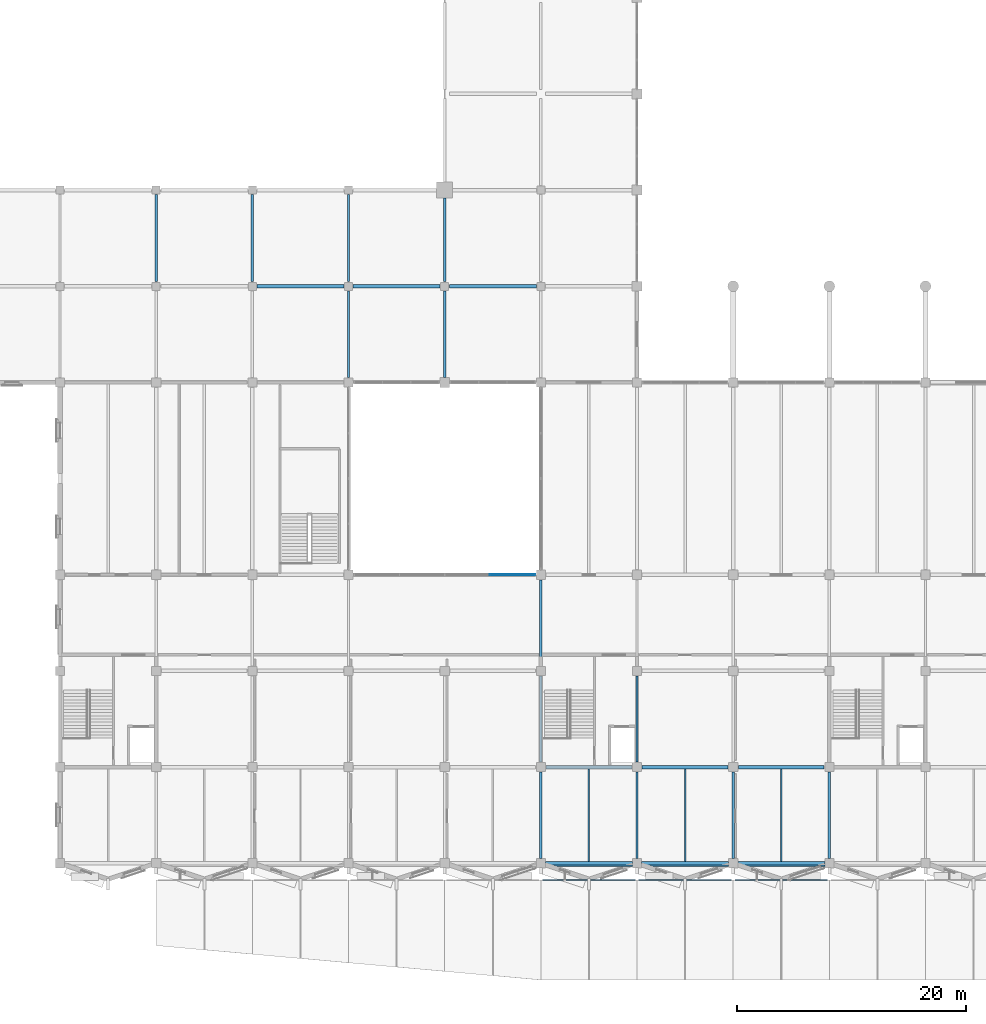
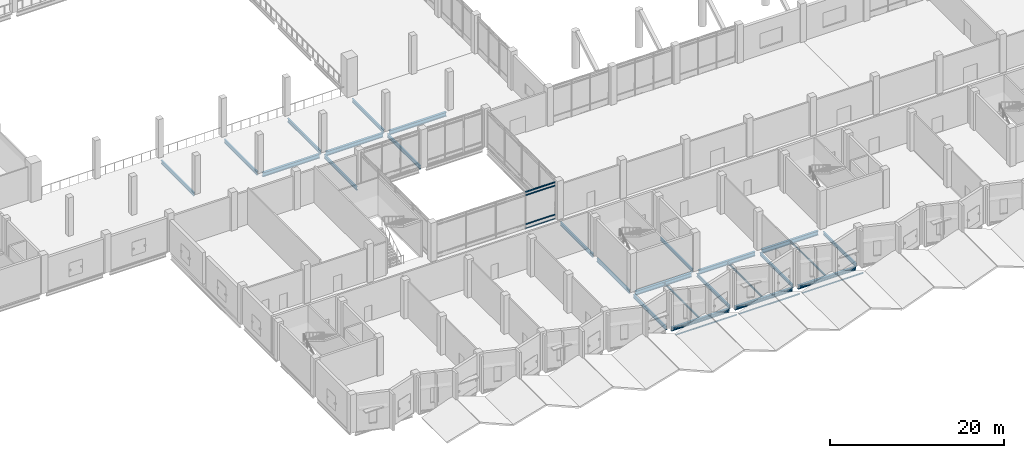
# One storey, part 6 of 72: 28 beams, 7 members, 1 element without a shape of its own.
"""IFC4 building model written with IfcOpenShell, lengths in metres."""

from ifc_helpers import new_model, si_unit, direction, frame, origin, origin_2d, place, context, subcontext, project, spatial, rectangle, hollow_rectangle, i_section, extrude, material, layer, layer_set, material_profile, profile_set, type_object, element, aggregate, save


model = new_model("IFC4")

# Units and contexts
model_context = context("Model", 3, precision=1e-05, world=origin(), true_north=direction((0.0, 1.0)))
body_context = subcontext(model_context, "Body", "Model", "MODEL_VIEW")
ifc_project = project(units=[si_unit("LENGTHUNIT", "METRE"), si_unit("AREAUNIT", "SQUARE_METRE"), si_unit("VOLUMEUNIT", "CUBIC_METRE"), si_unit("PLANEANGLEUNIT", "RADIAN"), si_unit("MASSUNIT", "GRAM", prefix="KILO")], contexts=[model_context])

# Site, building, storey
site_placement = place(None, origin())
site = spatial("IfcSite", under=ifc_project, at=site_placement, CompositionType="ELEMENT")
building_placement = place(site_placement, origin())
building = spatial("IfcBuilding", under=site, at=building_placement, Name="Qawsi Khor Wholesale Market", CompositionType="ELEMENT")
storey_placement = place(building_placement, frame((0.0, 0.0, 6.0)))
storey = spatial("IfcBuildingStorey", under=building, at=storey_placement, Name="L01", CompositionType="ELEMENT", Elevation=6.0)

# Beams
ifc_material_1 = material(Name="Steel S355", Category="steel")
ifc_material_profile_1 = material_profile(ifc_material_1, i_section(OverallWidth=0.135009765625, OverallDepth=0.27001953125, WebThickness=0.006591796875, FlangeThickness=0.01025390625, FilletRadius=0.014892578125, at=origin_2d()), Name="IPE 270")
ifc_profile_set_1 = profile_set([ifc_material_profile_1], Name="Steel S355")
beam_type_1 = type_object("IfcBeamType", Name="Canopy Beam IPE 270", PredefinedType="BEAM", material=ifc_profile_set_1)
beam_1_placement = place(storey_placement, frame((67.60009765625, -0.199951171875, -0.419921875), z_axis=(1.0, 0.0, 0.0), x_axis=(0.0, 1.0, 0.0)))
element("IfcBeam", 1, at=beam_1_placement, inside=storey, type_object=beam_type_1, Name="Canopy tie beam 8", PredefinedType="BEAM", context=body_context, shape_type="SweptSolid", body=[
    extrude(i_section(OverallWidth=0.135009765625, OverallDepth=0.27001953125, WebThickness=0.006591796875, FlangeThickness=0.01025390625, FilletRadius=0.014892578125, at=origin_2d()), origin(), (0.0, 0.0, 1.0), 7.599853515625),
])
for number, where, z_axis, x_axis, name in (
    (2, (76.0, -0.199951171875, -0.419921875), (1.0, 0.0, 0.0), (0.0, 1.0, 0.0), "Canopy tie beam 9"),
    (3, (84.39990234375, -0.199951171875, -0.419921875), (1.0, 0.0, 0.0), (0.0, 1.0, 0.0), "Canopy tie beam 10"),
):
    element("IfcBeam", number, at=place(storey_placement, frame(where, z_axis=z_axis, x_axis=x_axis)), inside=storey, type_object=beam_type_1, Name=name, PredefinedType="BEAM", context=body_context, shape_type="SweptSolid", body=[
        extrude(i_section(OverallWidth=0.135009765625, OverallDepth=0.27001953125, WebThickness=0.006591796875, FlangeThickness=0.01025390625, FilletRadius=0.014892578125, at=origin_2d()), origin(), (0.0, 0.0, 1.0), 7.60009765625),
    ])

# Members
ifc_material_profile_2 = material_profile(ifc_material_1, hollow_rectangle(XDim=0.10009765625, YDim=0.179931640625, WallThickness=0.008056640625, InnerFilletRadius=0.008056640625, OuterFilletRadius=0.01611328125, at=origin_2d()), Name="RHS 180x100x8.0")
ifc_profile_set_2 = profile_set([ifc_material_profile_2], Name="Steel S355")
member_type_1 = type_object("IfcMemberType", Name="Canopy Sub-Purlin RHS 180x100x8.0", PredefinedType="PURLIN", material=ifc_profile_set_2)
member_1_placement = place(storey_placement, frame((67.35009765625, -1.449951171875, -0.3798828125), z_axis=(1.0, 0.0, 0.0), x_axis=(0.0, 1.0, 0.0)))
element("IfcMember", 4, at=member_1_placement, inside=storey, type_object=member_type_1, Name="Canopy valley sub-purlin 8", PredefinedType="PURLIN", context=body_context, shape_type="SweptSolid", body=[
    extrude(hollow_rectangle(XDim=0.10009765625, YDim=0.179931640625, WallThickness=0.008056640625, InnerFilletRadius=0.008056640625, OuterFilletRadius=0.01611328125, at=origin_2d()), origin(), (0.0, 0.0, 1.0), 8.099853515625),
])
for number, where, z_axis, x_axis, name in (
    (5, (75.75, -1.449951171875, -0.3798828125), (1.0, 0.0, 0.0), (0.0, 1.0, 0.0), "Canopy valley sub-purlin 9"),
    (6, (84.14990234375, -1.449951171875, -0.3798828125), (1.0, 0.0, 0.0), (0.0, 1.0, 0.0), "Canopy valley sub-purlin 10"),
):
    element("IfcMember", number, at=place(storey_placement, frame(where, z_axis=z_axis, x_axis=x_axis)), inside=storey, type_object=member_type_1, Name=name, PredefinedType="PURLIN", context=body_context, shape_type="SweptSolid", body=[
        extrude(hollow_rectangle(XDim=0.10009765625, YDim=0.179931640625, WallThickness=0.008056640625, InnerFilletRadius=0.008056640625, OuterFilletRadius=0.01611328125, at=origin_2d()), origin(), (0.0, 0.0, 1.0), 8.10009765625),
    ])

# Curtain wall, members
ifc_material_2 = material(Name="Aluminium Anodised Bronze", Category="aluminium")
ifc_layer = layer(ifc_material_2, 0.179931640625, Name="Aluminium Anodised Bronze")
ifc_layer_set = layer_set([ifc_layer], Name="Aluminium Anodised Bronze")
curtain_wall_type = type_object("IfcCurtainWallType", Name="Atrium Full-Height Curtain Wall CW-02", PredefinedType="NOTDEFINED", material=ifc_layer_set)
curtain_wall_placement = place(storey_placement, origin())
curtain_wall = element("IfcCurtainWall", 7, at=curtain_wall_placement, inside=storey, type_object=curtain_wall_type, Name="Curtain wall CW-CW-02-L01-016", PredefinedType="NOTDEFINED")
ifc_material_profile_3 = material_profile(ifc_material_2, rectangle(XDim=0.06494140625, YDim=0.139892578125, at=origin_2d()), Name="ALU TRANSOM 65x140")
ifc_profile_set_3 = profile_set([ifc_material_profile_3], Name="Aluminium Anodised Bronze")
member_type_2 = type_object("IfcMemberType", Name="Curtain Wall Transom CW-02 ALU TRANSOM 65x140", PredefinedType="USERDEFINED", material=ifc_profile_set_3)
member_2_placement = place(storey_placement, frame((62.75244140625, 25.199951171875, 0.0), z_axis=(1.0, 0.0, 0.0), x_axis=(0.0, 1.0, 0.0)))
member_2 = element("IfcMember", 8, at=member_2_placement, type_object=member_type_2, Name="Transom CW-CW-02-L01-016-T0_03", ObjectType="TRANSOM", PredefinedType="USERDEFINED", context=body_context, shape_type="SweptSolid", body=[
    extrude(rectangle(XDim=0.06494140625, YDim=0.139892578125, at=origin_2d()), origin(), (0.0, 0.0, 1.0), 3.95263671875),
])
member_3_placement = place(storey_placement, frame((62.75244140625, 25.199951171875, 0.60009765625), z_axis=(1.0, 0.0, 0.0), x_axis=(0.0, 1.0, 0.0)))
member_3 = element("IfcMember", 9, at=member_3_placement, type_object=member_type_2, Name="Transom CW-CW-02-L01-016-T1_03", ObjectType="TRANSOM", PredefinedType="USERDEFINED", context=body_context, shape_type="SweptSolid", body=[
    extrude(rectangle(XDim=0.06494140625, YDim=0.139892578125, at=origin_2d()), origin(), (0.0, 0.0, 1.0), 3.95263671875),
])
member_4_placement = place(storey_placement, frame((62.75244140625, 25.199951171875, 4.669921875), z_axis=(1.0, 0.0, 0.0), x_axis=(0.0, 1.0, 0.0)))
member_4 = element("IfcMember", 10, at=member_4_placement, type_object=member_type_2, Name="Transom CW-CW-02-L01-016-T2_03", ObjectType="TRANSOM", PredefinedType="USERDEFINED", context=body_context, shape_type="SweptSolid", body=[
    extrude(rectangle(XDim=0.06494140625, YDim=0.139892578125, at=origin_2d()), origin(), (0.0, 0.0, 1.0), 3.95263671875),
])
member_5_placement = place(storey_placement, frame((62.75244140625, 25.199951171875, 5.1201171875), z_axis=(1.0, 0.0, 0.0), x_axis=(0.0, 1.0, 0.0)))
member_5 = element("IfcMember", 11, at=member_5_placement, type_object=member_type_2, Name="Transom CW-CW-02-L01-016-T3_03", ObjectType="TRANSOM", PredefinedType="USERDEFINED", context=body_context, shape_type="SweptSolid", body=[
    extrude(rectangle(XDim=0.06494140625, YDim=0.139892578125, at=origin_2d()), origin(), (0.0, 0.0, 1.0), 3.95263671875),
])
aggregate(curtain_wall, [member_2, member_3, member_4, member_5])

# Beams
ifc_material_profile_4 = material_profile(ifc_material_1, i_section(OverallWidth=0.1201171875, OverallDepth=0.239990234375, WebThickness=0.006103515625, FlangeThickness=0.009765625, FilletRadius=0.014892578125, at=origin_2d()), Name="IPE 240")
ifc_profile_set_4 = profile_set([ifc_material_profile_4], Name="Steel S355")
beam_type_2 = type_object("IfcBeamType", Name="Floor Joist IPE 240", PredefinedType="JOIST", material=ifc_profile_set_4)
for number, where, z_axis, x_axis, name in (
    (12, (71.39990234375, 0.14990234375, -0.39990234375), (0.0, 1.0, 0.0), (-1.0, 0.0, 0.0), "JST-S-L01-08"),
    (13, (79.800048828125, 0.14990234375, -0.39990234375), (0.0, 1.0, 0.0), (-1.0, 0.0, 0.0), "JST-S-L01-09"),
    (14, (88.199951171875, 0.14990234375, -0.39990234375), (0.0, 1.0, 0.0), (-1.0, 0.0, 0.0), "JST-S-L01-10"),
):
    element("IfcBeam", number, at=place(storey_placement, frame(where, z_axis=z_axis, x_axis=x_axis)), inside=storey, type_object=beam_type_2, Name=name, PredefinedType="JOIST", context=body_context, shape_type="SweptSolid", body=[
        extrude(i_section(OverallWidth=0.1201171875, OverallDepth=0.239990234375, WebThickness=0.006103515625, FlangeThickness=0.009765625, FilletRadius=0.014892578125, at=origin_2d()), origin(), (0.0, 0.0, 1.0), 8.10009765625),
    ])
ifc_material_profile_5 = material_profile(ifc_material_1, i_section(OverallWidth=0.300048828125, OverallDepth=0.5, WebThickness=0.014404296875, FlangeThickness=0.028076171875, FilletRadius=0.027099609375, at=origin_2d()), Name="HEB 500")
ifc_profile_set_5 = profile_set([ifc_material_profile_5], Name="Steel S355")
beam_type_3 = type_object("IfcBeamType", Name="Heavy Edge Girder HEB 500", PredefinedType="BEAM", material=ifc_profile_set_5)
beam_2_placement = place(storey_placement, frame((67.60009765625, 0.0, -0.530029296875), z_axis=(1.0, 0.0, 0.0), x_axis=(0.0, 1.0, 0.0)))
element("IfcBeam", 15, at=beam_2_placement, inside=storey, type_object=beam_type_3, Name="BM-X-L01-08_+00", PredefinedType="BEAM", context=body_context, shape_type="SweptSolid", body=[
    extrude(i_section(OverallWidth=0.300048828125, OverallDepth=0.5, WebThickness=0.014404296875, FlangeThickness=0.028076171875, FilletRadius=0.027099609375, at=origin_2d()), origin(), (0.0, 0.0, 1.0), 7.599853515625),
])
for number, where, z_axis, x_axis, name in (
    (16, (76.0, 0.0, -0.530029296875), (1.0, 0.0, 0.0), (0.0, 1.0, 0.0), "BM-X-L01-09_+00"),
    (17, (84.39990234375, 0.0, -0.530029296875), (1.0, 0.0, 0.0), (0.0, 1.0, 0.0), "BM-X-L01-10_+00"),
):
    element("IfcBeam", number, at=place(storey_placement, frame(where, z_axis=z_axis, x_axis=x_axis)), inside=storey, type_object=beam_type_3, Name=name, PredefinedType="BEAM", context=body_context, shape_type="SweptSolid", body=[
        extrude(i_section(OverallWidth=0.300048828125, OverallDepth=0.5, WebThickness=0.014404296875, FlangeThickness=0.028076171875, FilletRadius=0.027099609375, at=origin_2d()), origin(), (0.0, 0.0, 1.0), 7.60009765625),
    ])
ifc_material_profile_6 = material_profile(ifc_material_1, i_section(OverallWidth=0.300048828125, OverallDepth=0.590087890625, WebThickness=0.012939453125, FlangeThickness=0.02490234375, FilletRadius=0.027099609375, at=origin_2d()), Name="HEA 600")
ifc_profile_set_6 = profile_set([ifc_material_profile_6], Name="Steel S355")
beam_type_4 = type_object("IfcBeamType", Name="Primary Girder HEA 600", PredefinedType="BEAM", material=ifc_profile_set_6)
beam_3_placement = place(storey_placement, frame((42.39990234375, 50.39990234375, -0.56494140625), z_axis=(1.0, 0.0, 0.0), x_axis=(0.0, 1.0, 0.0)))
element("IfcBeam", 18, at=beam_3_placement, inside=storey, type_object=beam_type_4, Name="BM-X-L01-05_+06", PredefinedType="BEAM", context=body_context, shape_type="SweptSolid", body=[
    extrude(i_section(OverallWidth=0.300048828125, OverallDepth=0.590087890625, WebThickness=0.012939453125, FlangeThickness=0.02490234375, FilletRadius=0.027099609375, at=origin_2d()), origin(), (0.0, 0.0, 1.0), 7.60009765625),
])
beam_4_placement = place(storey_placement, frame((50.800048828125, 50.39990234375, -0.56494140625), z_axis=(1.0, 0.0, 0.0), x_axis=(0.0, 1.0, 0.0)))
element("IfcBeam", 19, at=beam_4_placement, inside=storey, type_object=beam_type_4, Name="BM-X-L01-06_+06", PredefinedType="BEAM", context=body_context, shape_type="SweptSolid", body=[
    extrude(i_section(OverallWidth=0.300048828125, OverallDepth=0.590087890625, WebThickness=0.012939453125, FlangeThickness=0.02490234375, FilletRadius=0.027099609375, at=origin_2d()), origin(), (0.0, 0.0, 1.0), 7.599853515625),
])
beam_5_placement = place(storey_placement, frame((59.199951171875, 50.39990234375, -0.56494140625), z_axis=(1.0, 0.0, 0.0), x_axis=(0.0, 1.0, 0.0)))
element("IfcBeam", 20, at=beam_5_placement, inside=storey, type_object=beam_type_4, Name="BM-X-L01-07_+06", PredefinedType="BEAM", context=body_context, shape_type="SweptSolid", body=[
    extrude(i_section(OverallWidth=0.300048828125, OverallDepth=0.590087890625, WebThickness=0.012939453125, FlangeThickness=0.02490234375, FilletRadius=0.027099609375, at=origin_2d()), origin(), (0.0, 0.0, 1.0), 7.60009765625),
])
for number, where, z_axis, x_axis, name in (
    (21, (67.64990234375, 8.39990234375, -0.574951171875), (1.0, 0.0, 0.0), (0.0, 1.0, 0.0), "BM-X-L01-08_+01"),
    (22, (76.050048828125, 8.39990234375, -0.574951171875), (1.0, 0.0, 0.0), (0.0, 1.0, 0.0), "BM-X-L01-09_+01"),
    (23, (84.449951171875, 8.39990234375, -0.574951171875), (1.0, 0.0, 0.0), (0.0, 1.0, 0.0), "BM-X-L01-10_+01"),
):
    element("IfcBeam", number, at=place(storey_placement, frame(where, z_axis=z_axis, x_axis=x_axis)), inside=storey, type_object=beam_type_4, Name=name, PredefinedType="BEAM", context=body_context, shape_type="SweptSolid", body=[
        extrude(i_section(OverallWidth=0.300048828125, OverallDepth=0.590087890625, WebThickness=0.012939453125, FlangeThickness=0.02490234375, FilletRadius=0.027099609375, at=origin_2d()), origin(), (0.0, 0.0, 1.0), 7.5),
    ])
ifc_material_profile_7 = material_profile(ifc_material_1, i_section(OverallWidth=0.18994140625, OverallDepth=0.449951171875, WebThickness=0.009521484375, FlangeThickness=0.0146484375, FilletRadius=0.02099609375, at=origin_2d()), Name="IPE 450")
ifc_profile_set_7 = profile_set([ifc_material_profile_7], Name="Steel S355")
beam_type_5 = type_object("IfcBeamType", Name="Secondary Beam IPE 450", PredefinedType="BEAM", material=ifc_profile_set_7)
beam_6_placement = place(storey_placement, frame((75.60009765625, 0.39990234375, -0.5048828125), z_axis=(0.0, 1.0, 0.0), x_axis=(-1.0, 0.0, 0.0)))
element("IfcBeam", 24, at=beam_6_placement, inside=storey, type_object=beam_type_5, Name="BM-Y-L01-09_+00", PredefinedType="BEAM", context=body_context, shape_type="SweptSolid", body=[
    extrude(i_section(OverallWidth=0.18994140625, OverallDepth=0.449951171875, WebThickness=0.009521484375, FlangeThickness=0.0146484375, FilletRadius=0.02099609375, at=origin_2d()), origin(), (0.0, 0.0, 1.0), 7.550048828125),
])
beam_7_placement = place(storey_placement, frame((75.60009765625, 8.85009765625, -0.5048828125), z_axis=(0.0, 1.0, 0.0), x_axis=(-1.0, 0.0, 0.0)))
element("IfcBeam", 25, at=beam_7_placement, inside=storey, type_object=beam_type_5, Name="BM-Y-L01-09_+01", PredefinedType="BEAM", context=body_context, shape_type="SweptSolid", body=[
    extrude(i_section(OverallWidth=0.18994140625, OverallDepth=0.449951171875, WebThickness=0.009521484375, FlangeThickness=0.0146484375, FilletRadius=0.02099609375, at=origin_2d()), origin(), (0.0, 0.0, 1.0), 7.5),
])
for number, where, z_axis, x_axis, name in (
    (26, (84.0, 0.39990234375, -0.5048828125), (0.0, 1.0, 0.0), (-1.0, 0.0, 0.0), "BM-Y-L01-10_+00"),
    (27, (92.39990234375, 0.39990234375, -0.5048828125), (0.0, 1.0, 0.0), (-1.0, 0.0, 0.0), "BM-Y-L01-11_+00"),
):
    element("IfcBeam", number, at=place(storey_placement, frame(where, z_axis=z_axis, x_axis=x_axis)), inside=storey, type_object=beam_type_5, Name=name, PredefinedType="BEAM", context=body_context, shape_type="SweptSolid", body=[
        extrude(i_section(OverallWidth=0.18994140625, OverallDepth=0.449951171875, WebThickness=0.009521484375, FlangeThickness=0.0146484375, FilletRadius=0.02099609375, at=origin_2d()), origin(), (0.0, 0.0, 1.0), 7.550048828125),
    ])
ifc_material_profile_8 = material_profile(ifc_material_1, i_section(OverallWidth=0.199951171875, OverallDepth=0.5, WebThickness=0.01025390625, FlangeThickness=0.01611328125, FilletRadius=0.02099609375, at=origin_2d()), Name="IPE 500")
ifc_profile_set_8 = profile_set([ifc_material_profile_8], Name="Steel S355")
beam_type_6 = type_object("IfcBeamType", Name="Secondary Beam IPE 500", PredefinedType="BEAM", material=ifc_profile_set_8)
for number, where, z_axis, x_axis, name in (
    (28, (33.60009765625, 50.800048828125, -0.52001953125), (0.0, 1.0, 0.0), (-1.0, 0.0, 0.0), "BM-Y-L01-04_+06"),
    (29, (42.0, 50.800048828125, -0.52001953125), (0.0, 1.0, 0.0), (-1.0, 0.0, 0.0), "BM-Y-L01-05_+06"),
):
    element("IfcBeam", number, at=place(storey_placement, frame(where, z_axis=z_axis, x_axis=x_axis)), inside=storey, type_object=beam_type_6, Name=name, PredefinedType="BEAM", context=body_context, shape_type="SweptSolid", body=[
        extrude(i_section(OverallWidth=0.199951171875, OverallDepth=0.5, WebThickness=0.01025390625, FlangeThickness=0.01611328125, FilletRadius=0.02099609375, at=origin_2d()), origin(), (0.0, 0.0, 1.0), 7.599853515625),
    ])
beam_8_placement = place(storey_placement, frame((50.39990234375, 42.449951171875, -0.52001953125), z_axis=(0.0, 1.0, 0.0), x_axis=(-1.0, 0.0, 0.0)))
element("IfcBeam", 30, at=beam_8_placement, inside=storey, type_object=beam_type_6, Name="BM-Y-L01-06_+05", PredefinedType="BEAM", context=body_context, shape_type="SweptSolid", body=[
    extrude(i_section(OverallWidth=0.199951171875, OverallDepth=0.5, WebThickness=0.01025390625, FlangeThickness=0.01611328125, FilletRadius=0.02099609375, at=origin_2d()), origin(), (0.0, 0.0, 1.0), 7.550048828125),
])
beam_9_placement = place(storey_placement, frame((50.39990234375, 50.800048828125, -0.52001953125), z_axis=(0.0, 1.0, 0.0), x_axis=(-1.0, 0.0, 0.0)))
element("IfcBeam", 31, at=beam_9_placement, inside=storey, type_object=beam_type_6, Name="BM-Y-L01-06_+06", PredefinedType="BEAM", context=body_context, shape_type="SweptSolid", body=[
    extrude(i_section(OverallWidth=0.199951171875, OverallDepth=0.5, WebThickness=0.01025390625, FlangeThickness=0.01611328125, FilletRadius=0.02099609375, at=origin_2d()), origin(), (0.0, 0.0, 1.0), 7.599853515625),
])
beam_10_placement = place(storey_placement, frame((58.800048828125, 42.449951171875, -0.52001953125), z_axis=(0.0, 1.0, 0.0), x_axis=(-1.0, 0.0, 0.0)))
element("IfcBeam", 32, at=beam_10_placement, inside=storey, type_object=beam_type_6, Name="BM-Y-L01-07_+05", PredefinedType="BEAM", context=body_context, shape_type="SweptSolid", body=[
    extrude(i_section(OverallWidth=0.199951171875, OverallDepth=0.5, WebThickness=0.01025390625, FlangeThickness=0.01611328125, FilletRadius=0.02099609375, at=origin_2d()), origin(), (0.0, 0.0, 1.0), 7.550048828125),
])
beam_11_placement = place(storey_placement, frame((58.800048828125, 50.800048828125, -0.52001953125), z_axis=(0.0, 1.0, 0.0), x_axis=(-1.0, 0.0, 0.0)))
element("IfcBeam", 33, at=beam_11_placement, inside=storey, type_object=beam_type_6, Name="BM-Y-L01-07_+06", PredefinedType="BEAM", context=body_context, shape_type="SweptSolid", body=[
    extrude(i_section(OverallWidth=0.199951171875, OverallDepth=0.5, WebThickness=0.01025390625, FlangeThickness=0.01611328125, FilletRadius=0.02099609375, at=origin_2d()), origin(), (0.0, 0.0, 1.0), 7.300048828125),
])
beam_12_placement = place(storey_placement, frame((67.199951171875, 0.39990234375, -0.530029296875), z_axis=(0.0, 1.0, 0.0), x_axis=(-1.0, 0.0, 0.0)))
element("IfcBeam", 34, at=beam_12_placement, inside=storey, type_object=beam_type_6, Name="BM-Y-L01-08_+00", PredefinedType="BEAM", context=body_context, shape_type="SweptSolid", body=[
    extrude(i_section(OverallWidth=0.199951171875, OverallDepth=0.5, WebThickness=0.01025390625, FlangeThickness=0.01611328125, FilletRadius=0.02099609375, at=origin_2d()), origin(), (0.0, 0.0, 1.0), 7.550048828125),
])
for number, where, z_axis, x_axis, name in (
    (35, (67.199951171875, 8.85009765625, -0.530029296875), (0.0, 1.0, 0.0), (-1.0, 0.0, 0.0), "BM-Y-L01-08_+01"),
    (36, (67.199951171875, 17.25, -0.530029296875), (0.0, 1.0, 0.0), (-1.0, 0.0, 0.0), "BM-Y-L01-08_+02"),
):
    element("IfcBeam", number, at=place(storey_placement, frame(where, z_axis=z_axis, x_axis=x_axis)), inside=storey, type_object=beam_type_6, Name=name, PredefinedType="BEAM", context=body_context, shape_type="SweptSolid", body=[
        extrude(i_section(OverallWidth=0.199951171875, OverallDepth=0.5, WebThickness=0.01025390625, FlangeThickness=0.01611328125, FilletRadius=0.02099609375, at=origin_2d()), origin(), (0.0, 0.0, 1.0), 7.5),
    ])

save(model, "model.ifc")
